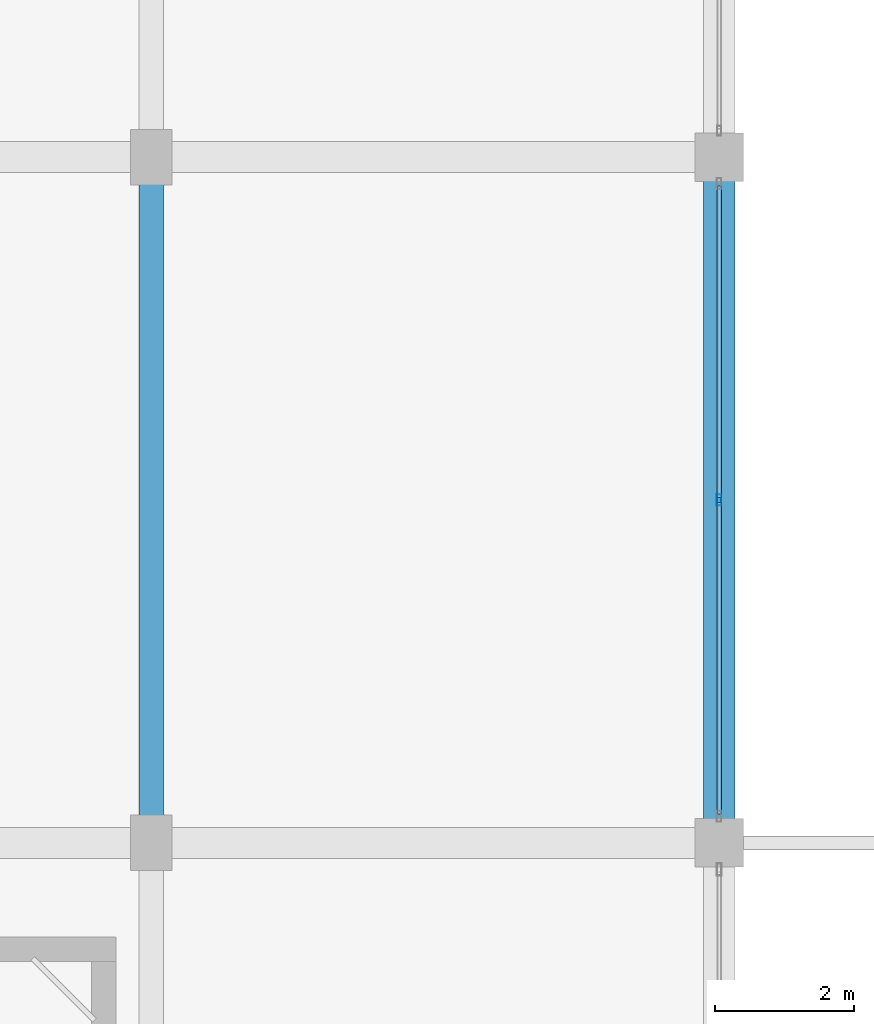
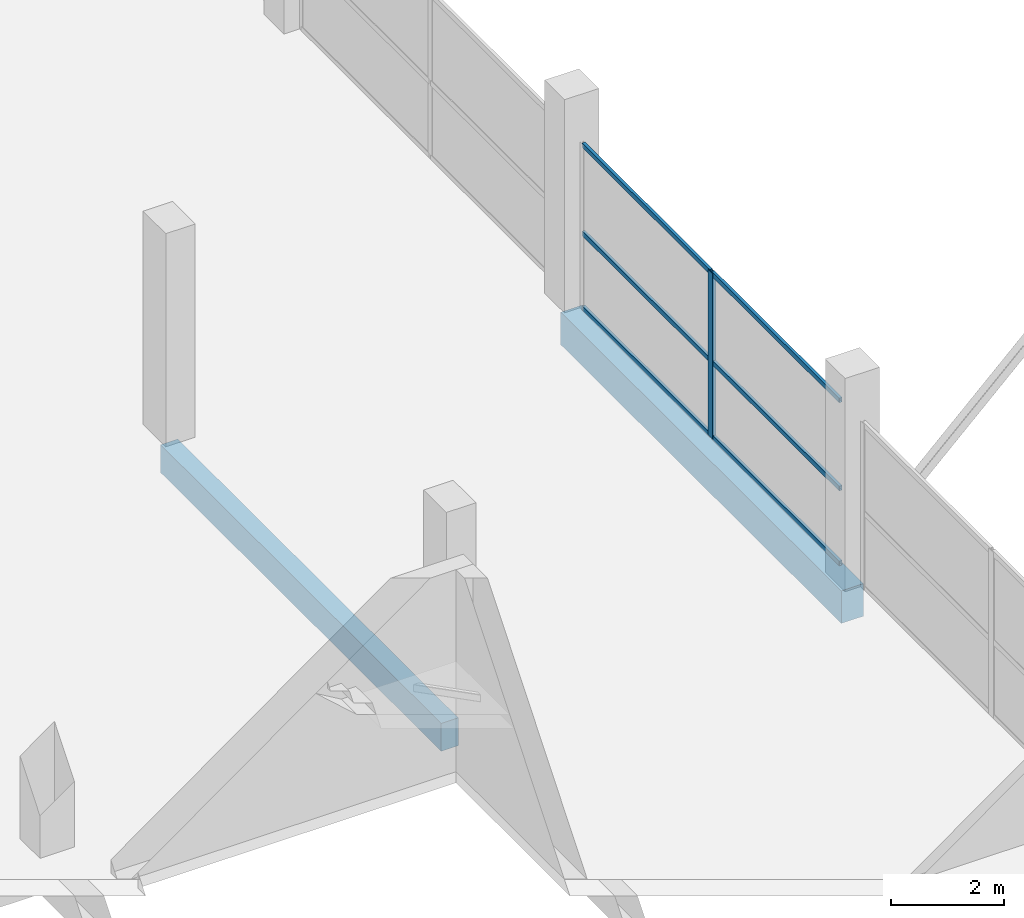
# One storey, part 22 of 49: 7 members, 2 beams, 1 element without a shape of its own.
"""IFC4 building model written with IfcOpenShell, lengths in metres."""

from ifc_helpers import new_model, si_unit, direction, frame, origin, origin_2d, place, context, subcontext, project, spatial, rectangle, hollow_rectangle, extrude, material, layer, layer_set, material_profile, profile_set, type_object, element, aggregate, save


model = new_model("IFC4")

# Units and contexts
model_context = context("Model", 3, precision=1e-05, world=origin(), true_north=direction((0.0, 1.0)))
body_context = subcontext(model_context, "Body", "Model", "MODEL_VIEW")
ifc_project = project(units=[si_unit("LENGTHUNIT", "METRE"), si_unit("AREAUNIT", "SQUARE_METRE"), si_unit("VOLUMEUNIT", "CUBIC_METRE"), si_unit("PLANEANGLEUNIT", "RADIAN"), si_unit("MASSUNIT", "GRAM", prefix="KILO")], contexts=[model_context])

# Site, building, storey
site_placement = place(None, origin())
site = spatial("IfcSite", under=ifc_project, at=site_placement, CompositionType="ELEMENT")
building_placement = place(site_placement, origin())
building = spatial("IfcBuilding", under=site, at=building_placement, Name="Sillaruma Civic Art Gallery", CompositionType="ELEMENT")
storey_placement = place(building_placement, frame((0.0, 0.0, 33.14990234375)))
storey = spatial("IfcBuildingStorey", under=building, at=storey_placement, Name="L06", CompositionType="ELEMENT", Elevation=33.14990234375)

# Beams
ifc_material_1 = material(Name="Concrete H35 (35 MPa)", Category="concrete")
ifc_material_profile_1 = material_profile(ifc_material_1, rectangle(XDim=0.35009765625, YDim=0.60009765625, at=origin_2d()), Name="RCB350x600")
ifc_profile_set_1 = profile_set([ifc_material_profile_1], Name="Concrete H35 (35 MPa)")
beam_type_1 = type_object("IfcBeamType", Name="BM-BEAM-RCB350x600", PredefinedType="BEAM", material=ifc_profile_set_1)
beam_1_placement = place(storey_placement, frame((106.199951171875, 59.39990234375, -0.539794921875), z_axis=(0.0, 1.0, 0.0), x_axis=(-1.0, 0.0, 0.0)))
element("IfcBeam", 1, at=beam_1_placement, inside=storey, type_object=beam_type_1, Name="Beam BM-06 (L05:M:7-8)", PredefinedType="BEAM", context=body_context, shape_type="SweptSolid", body=[
    extrude(rectangle(XDim=0.35009765625, YDim=0.60009765625, at=origin_2d()), origin(), (0.0, 0.0, 1.0), 9.900146484375),
])
ifc_material_profile_2 = material_profile(ifc_material_1, rectangle(XDim=0.449951171875, YDim=0.699951171875, at=origin_2d()), Name="RCB450x700")
ifc_profile_set_2 = profile_set([ifc_material_profile_2], Name="Concrete H35 (35 MPa)")
beam_type_2 = type_object("IfcBeamType", Name="BM-SPANDREL-RCB450x700", PredefinedType="SPANDREL", material=ifc_profile_set_2)
beam_2_placement = place(storey_placement, frame((114.39990234375, 59.39990234375, -0.58984375), z_axis=(0.0, 1.0, 0.0), x_axis=(-1.0, 0.0, 0.0)))
element("IfcBeam", 2, at=beam_2_placement, inside=storey, type_object=beam_type_2, Name="Beam BS-03 (L05:N:7-8)", PredefinedType="SPANDREL", context=body_context, shape_type="SweptSolid", body=[
    extrude(rectangle(XDim=0.449951171875, YDim=0.699951171875, at=origin_2d()), origin(), (0.0, 0.0, 1.0), 9.900146484375),
])

# Curtain wall, members
ifc_material_2 = material(Name="Thermally Broken Extruded Aluminium 6063-T6", Category="aluminium")
ifc_layer = layer(ifc_material_2, 0.159912109375, Name="Thermally Broken Extruded Aluminium 6063-T6")
ifc_layer_set = layer_set([ifc_layer], Name="Thermally Broken Extruded Aluminium 6063-T6")
curtain_wall_type = type_object("IfcCurtainWallType", Name="CW-UNI-35", PredefinedType="NOTDEFINED", material=ifc_layer_set)
curtain_wall_placement = place(storey_placement, origin())
curtain_wall = element("IfcCurtainWall", 3, at=curtain_wall_placement, inside=storey, type_object=curtain_wall_type, Name="Unitised Curtain Wall CW-35 (CW-L06-E-5)", PredefinedType="NOTDEFINED")
ifc_material_profile_3 = material_profile(ifc_material_2, hollow_rectangle(XDim=0.06494140625, YDim=0.159912109375, WallThickness=0.00390625, at=origin_2d()), Name="CWM65x160")
ifc_profile_set_3 = profile_set([ifc_material_profile_3], Name="Thermally Broken Extruded Aluminium 6063-T6")
member_type_1 = type_object("IfcMemberType", Name="MEM-MUL-CWM65x160", PredefinedType="MULLION", material=ifc_profile_set_3)
member_1_placement = place(storey_placement, frame((114.39990234375, 64.35009765625, 0.0), z_axis=(0.0, 0.0, 1.0), x_axis=(-1.0, 0.0, 0.0)))
member_1 = element("IfcMember", 4, at=member_1_placement, type_object=member_type_1, Name="CW-35 mullion 2", PredefinedType="MULLION", context=body_context, shape_type="SweptSolid", body=[
    extrude(hollow_rectangle(XDim=0.06494140625, YDim=0.159912109375, WallThickness=0.00390625, at=origin_2d()), origin(), (0.0, 0.0, 1.0), 3.570068359375),
])
ifc_material_profile_4 = material_profile(ifc_material_2, hollow_rectangle(XDim=0.06005859375, YDim=0.10009765625, WallThickness=0.003173828125, at=origin_2d()), Name="CWT60x100")
ifc_profile_set_4 = profile_set([ifc_material_profile_4], Name="Thermally Broken Extruded Aluminium 6063-T6")
member_type_2 = type_object("IfcMemberType", Name="MEM-TRN-CWT60x100", PredefinedType="USERDEFINED", material=ifc_profile_set_4)
member_2_placement = place(storey_placement, frame((114.39990234375, 59.81494140625, 0.030029296875), z_axis=(0.0, 1.0, 0.0), x_axis=(-1.0, 0.0, 0.0)))
member_2 = element("IfcMember", 5, at=member_2_placement, type_object=member_type_2, Name="CW-35 transom 1.1", ObjectType="TRANSOM", PredefinedType="USERDEFINED", context=body_context, shape_type="SweptSolid", body=[
    extrude(hollow_rectangle(XDim=0.06005859375, YDim=0.10009765625, WallThickness=0.003173828125, at=origin_2d()), origin(), (0.0, 0.0, 1.0), 4.50244140625),
])
member_3_placement = place(storey_placement, frame((114.39990234375, 59.81494140625, 1.642333984375), z_axis=(0.0, 1.0, 0.0), x_axis=(-1.0, 0.0, 0.0)))
member_3 = element("IfcMember", 6, at=member_3_placement, type_object=member_type_2, Name="CW-35 transom 1.2", ObjectType="TRANSOM", PredefinedType="USERDEFINED", context=body_context, shape_type="SweptSolid", body=[
    extrude(hollow_rectangle(XDim=0.06005859375, YDim=0.10009765625, WallThickness=0.003173828125, at=origin_2d()), origin(), (0.0, 0.0, 1.0), 4.50244140625),
])
member_4_placement = place(storey_placement, frame((114.39990234375, 59.81494140625, 3.5400390625), z_axis=(0.0, 1.0, 0.0), x_axis=(-1.0, 0.0, 0.0)))
member_4 = element("IfcMember", 7, at=member_4_placement, type_object=member_type_2, Name="CW-35 transom 1.3", ObjectType="TRANSOM", PredefinedType="USERDEFINED", context=body_context, shape_type="SweptSolid", body=[
    extrude(hollow_rectangle(XDim=0.06005859375, YDim=0.10009765625, WallThickness=0.003173828125, at=origin_2d()), origin(), (0.0, 0.0, 1.0), 4.50244140625),
])
member_5_placement = place(storey_placement, frame((114.39990234375, 64.382568359375, 0.030029296875), z_axis=(0.0, 1.0, 0.0), x_axis=(-1.0, 0.0, 0.0)))
member_5 = element("IfcMember", 8, at=member_5_placement, type_object=member_type_2, Name="CW-35 transom 2.1", ObjectType="TRANSOM", PredefinedType="USERDEFINED", context=body_context, shape_type="SweptSolid", body=[
    extrude(hollow_rectangle(XDim=0.06005859375, YDim=0.10009765625, WallThickness=0.003173828125, at=origin_2d()), origin(), (0.0, 0.0, 1.0), 4.50244140625),
])
member_6_placement = place(storey_placement, frame((114.39990234375, 64.382568359375, 1.642333984375), z_axis=(0.0, 1.0, 0.0), x_axis=(-1.0, 0.0, 0.0)))
member_6 = element("IfcMember", 9, at=member_6_placement, type_object=member_type_2, Name="CW-35 transom 2.2", ObjectType="TRANSOM", PredefinedType="USERDEFINED", context=body_context, shape_type="SweptSolid", body=[
    extrude(hollow_rectangle(XDim=0.06005859375, YDim=0.10009765625, WallThickness=0.003173828125, at=origin_2d()), origin(), (0.0, 0.0, 1.0), 4.50244140625),
])
member_7_placement = place(storey_placement, frame((114.39990234375, 64.382568359375, 3.5400390625), z_axis=(0.0, 1.0, 0.0), x_axis=(-1.0, 0.0, 0.0)))
member_7 = element("IfcMember", 10, at=member_7_placement, type_object=member_type_2, Name="CW-35 transom 2.3", ObjectType="TRANSOM", PredefinedType="USERDEFINED", context=body_context, shape_type="SweptSolid", body=[
    extrude(hollow_rectangle(XDim=0.06005859375, YDim=0.10009765625, WallThickness=0.003173828125, at=origin_2d()), origin(), (0.0, 0.0, 1.0), 4.50244140625),
])
aggregate(curtain_wall, [member_1, member_2, member_3, member_4, member_5, member_6, member_7])

save(model, "model.ifc")
